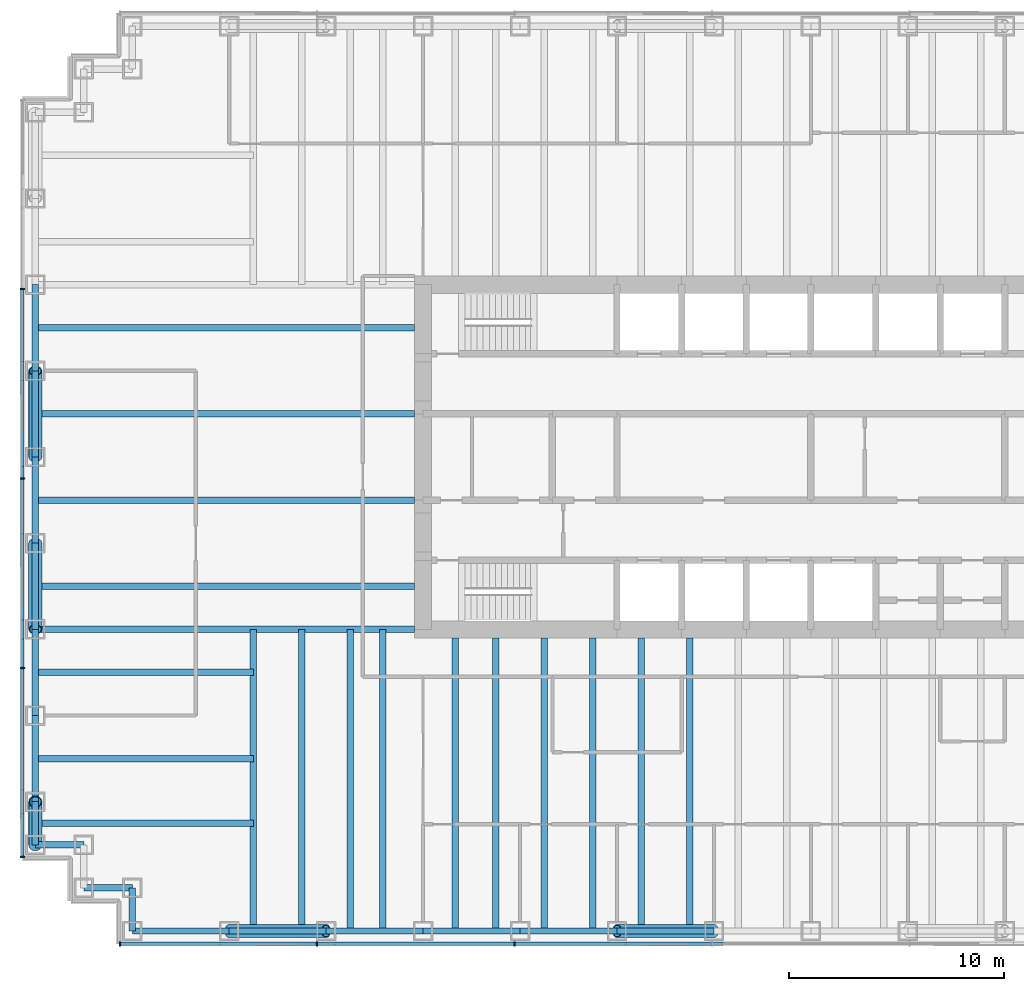
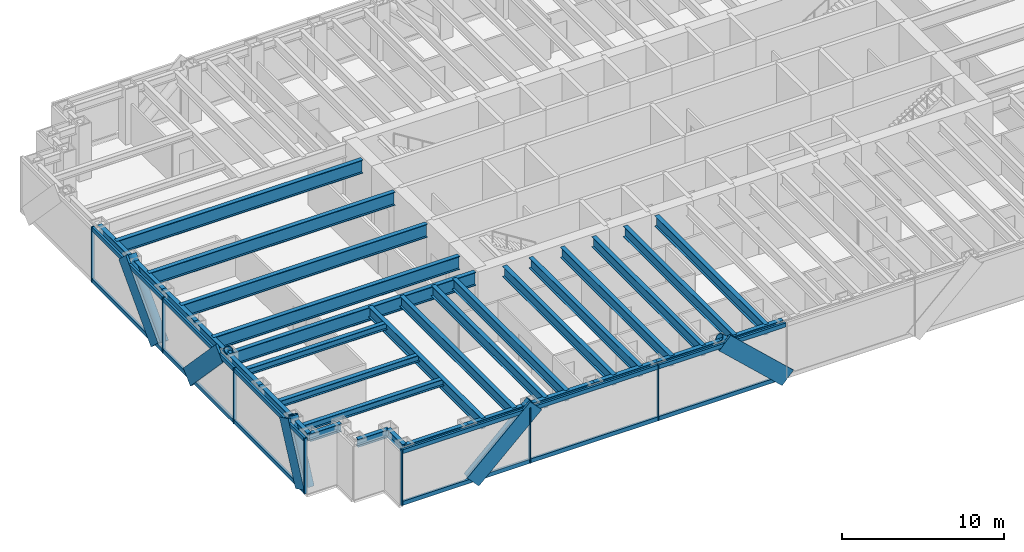
# One storey, part 2 of 16: 34 beams, 29 members, 2 elements without a shape of their own.
"""IFC4 building model written with IfcOpenShell, lengths in metres."""

from ifc_helpers import new_model, si_unit, direction, frame, origin, origin_2d, place, context, subcontext, project, spatial, rectangle, hollow_circle, i_section, extrude, material, material_profile, profile_set, type_object, element, aggregate, save


model = new_model("IFC4")

# Units and contexts
model_context = context("Model", 3, precision=1e-05, world=origin(), true_north=direction((0.0, 1.0)))
body_context = subcontext(model_context, "Body", "Model", "MODEL_VIEW")
ifc_project = project(units=[si_unit("LENGTHUNIT", "METRE"), si_unit("AREAUNIT", "SQUARE_METRE"), si_unit("VOLUMEUNIT", "CUBIC_METRE"), si_unit("PLANEANGLEUNIT", "RADIAN"), si_unit("MASSUNIT", "GRAM", prefix="KILO")], contexts=[model_context])

# Site, building, storey
site_placement = place(None, origin())
site = spatial("IfcSite", under=ifc_project, at=site_placement, CompositionType="ELEMENT")
building_placement = place(site_placement, origin())
building = spatial("IfcBuilding", under=site, at=building_placement, Name="Rheinbord Bourse Tower", CompositionType="ELEMENT")
storey_placement = place(building_placement, frame((0.0, 0.0, 219.39990234375)))
storey = spatial("IfcBuildingStorey", under=building, at=storey_placement, Name="L49", CompositionType="ELEMENT", Elevation=219.39990234375)

# Curtain wall, members
ifc_material_1 = material(Name="Dark glass and black aluminium", Category="aluminium")
curtain_wall_type = type_object("IfcCurtainWallType", Name="CW2 DARK GLASS CURTAIN WALL", PredefinedType="USERDEFINED", material=ifc_material_1)
curtain_wall_1_placement = place(storey_placement, origin())
curtain_wall_1 = element("IfcCurtainWall", 1, at=curtain_wall_1_placement, inside=storey, type_object=curtain_wall_type, Name="Curtain wall CW2 S L49", ObjectType="UNITISED CURTAIN WALL", PredefinedType="USERDEFINED")
ifc_material_2 = material(Name="Black anodised aluminium", Category="aluminium")
ifc_material_profile_1 = material_profile(ifc_material_2, rectangle(XDim=0.159912109375, YDim=1.2099609375, at=origin_2d()), Name="CW2 DIAGONAL MULLION 1210x160")
ifc_profile_set_1 = profile_set([ifc_material_profile_1], Name="Black anodised aluminium")
member_type_1 = type_object("IfcMemberType", Name="CW2 BLACK DIAGONAL MULLION", PredefinedType="USERDEFINED", material=ifc_profile_set_1)
member_1_placement = place(storey_placement, frame((31.5, 1.39990234375, 0.0), z_axis=(-0.731039441158, 0.0, 0.682335207557), x_axis=(0.0, -1.0, 0.0)))
member_1 = element("IfcMember", 2, at=member_1_placement, type_object=member_type_1, Name="CW2 diagonal mullion a", ObjectType="DIAGONAL MULLION", PredefinedType="USERDEFINED", context=body_context, shape_type="SweptSolid", body=[
    extrude(rectangle(XDim=0.159912109375, YDim=1.2099609375, at=origin_2d()), origin(), (0.0, 0.0, 1.0), 6.155517578125),
])
member_2_placement = place(storey_placement, frame((9.0, 1.39990234375, 0.0), z_axis=(0.731039441158, 0.0, 0.682335207557), x_axis=(0.0, 1.0, 0.0)))
member_2 = element("IfcMember", 3, at=member_2_placement, type_object=member_type_1, Name="CW2 diagonal mullion c", ObjectType="DIAGONAL MULLION", PredefinedType="USERDEFINED", context=body_context, shape_type="SweptSolid", body=[
    extrude(rectangle(XDim=0.159912109375, YDim=1.2099609375, at=origin_2d()), origin(), (0.0, 0.0, 1.0), 6.155517578125),
])

curtain_wall_2_placement = place(storey_placement, origin())
curtain_wall_2 = element("IfcCurtainWall", 4, at=curtain_wall_2_placement, inside=storey, type_object=curtain_wall_type, Name="Curtain wall CW2 W L49", ObjectType="UNITISED CURTAIN WALL", PredefinedType="USERDEFINED")
member_3_placement = place(storey_placement, frame((-0.60009765625, 20.0, 0.0), z_axis=(0.0, -0.689638355374, 0.72415394689), x_axis=(1.0, 0.0, 0.0)))
member_3 = element("IfcMember", 5, at=member_3_placement, type_object=member_type_1, Name="CW2 diagonal mullion a", ObjectType="DIAGONAL MULLION", PredefinedType="USERDEFINED", context=body_context, shape_type="SweptSolid", body=[
    extrude(rectangle(XDim=0.159912109375, YDim=1.2099609375, at=origin_2d()), origin(), (0.0, 0.0, 1.0), 5.800048828125),
])
member_4_placement = place(storey_placement, frame((-0.60009765625, 24.0, 0.0), z_axis=(0.0, 0.689638355374, 0.72415394689), x_axis=(-1.0, 0.0, 0.0)))
member_4 = element("IfcMember", 6, at=member_4_placement, type_object=member_type_1, Name="CW2 diagonal mullion b", ObjectType="DIAGONAL MULLION", PredefinedType="USERDEFINED", context=body_context, shape_type="SweptSolid", body=[
    extrude(rectangle(XDim=0.159912109375, YDim=1.2099609375, at=origin_2d()), origin(), (0.0, 0.0, 1.0), 5.800048828125),
])
member_5_placement = place(storey_placement, frame((-0.60009765625, 6.0, 0.0), z_axis=(0.0, 0.429917283348, 0.902868279141), x_axis=(-1.0, 0.0, 0.0)))
member_5 = element("IfcMember", 7, at=member_5_placement, type_object=member_type_1, Name="CW2 diagonal mullion c", ObjectType="DIAGONAL MULLION", PredefinedType="USERDEFINED", context=body_context, shape_type="SweptSolid", body=[
    extrude(rectangle(XDim=0.159912109375, YDim=1.2099609375, at=origin_2d()), origin(), (0.0, 0.0, 1.0), 4.652099609375),
])

# Member
ifc_material_3 = material(Name="Black anodised aluminium", Category="aluminium")
ifc_material_profile_2 = material_profile(ifc_material_3, rectangle(XDim=0.219970703125, YDim=0.070068359375, at=origin_2d()), Name="CW2 MULLION 70x220")
ifc_profile_set_2 = profile_set([ifc_material_profile_2], Name="Black anodised aluminium")
member_type_2 = type_object("IfcMemberType", Name="CW2 BLACK MULLION", PredefinedType="MULLION", material=ifc_profile_set_2)
member_6_placement = place(storey_placement, frame((3.93505859375, 1.39990234375, 0.0), z_axis=(0.0, 0.0, 1.0), x_axis=(0.0, 1.0, 0.0)))
member_6 = element("IfcMember", 8, at=member_6_placement, type_object=member_type_2, Name="CW2 mullion 1", PredefinedType="MULLION", context=body_context, shape_type="SweptSolid", body=[
    extrude(rectangle(XDim=0.219970703125, YDim=0.070068359375, at=origin_2d()), origin(), (0.0, 0.0, 1.0), 4.2001953125),
])

member_7_placement = place(storey_placement, frame((13.071533203125, 1.39990234375, 0.0), z_axis=(0.0, 0.0, 1.0), x_axis=(0.0, 1.0, 0.0)))
member_7 = element("IfcMember", 9, at=member_7_placement, type_object=member_type_2, Name="CW2 mullion 2", PredefinedType="MULLION", context=body_context, shape_type="SweptSolid", body=[
    extrude(rectangle(XDim=0.219970703125, YDim=0.070068359375, at=origin_2d()), origin(), (0.0, 0.0, 1.0), 4.2001953125),
])

member_8_placement = place(storey_placement, frame((22.242919921875, 1.39990234375, 0.0), z_axis=(0.0, 0.0, 1.0), x_axis=(0.0, 1.0, 0.0)))
member_8 = element("IfcMember", 10, at=member_8_placement, type_object=member_type_2, Name="CW2 mullion 3", PredefinedType="MULLION", context=body_context, shape_type="SweptSolid", body=[
    extrude(rectangle(XDim=0.219970703125, YDim=0.070068359375, at=origin_2d()), origin(), (0.0, 0.0, 1.0), 4.2001953125),
])

member_9_placement = place(storey_placement, frame((-0.60009765625, 31.800048828125, 0.0), z_axis=(0.0, 0.0, 1.0), x_axis=(1.0, 0.0, 0.0)))
member_9 = element("IfcMember", 11, at=member_9_placement, type_object=member_type_2, Name="CW2 mullion 2", PredefinedType="MULLION", context=body_context, shape_type="SweptSolid", body=[
    extrude(rectangle(XDim=0.219970703125, YDim=0.070068359375, at=origin_2d()), origin(), (0.0, 0.0, 1.0), 4.2001953125),
])

member_10_placement = place(storey_placement, frame((-0.60009765625, 23.0, 0.0), z_axis=(0.0, 0.0, 1.0), x_axis=(1.0, 0.0, 0.0)))
member_10 = element("IfcMember", 12, at=member_10_placement, type_object=member_type_2, Name="CW2 mullion 3", PredefinedType="MULLION", context=body_context, shape_type="SweptSolid", body=[
    extrude(rectangle(XDim=0.219970703125, YDim=0.070068359375, at=origin_2d()), origin(), (0.0, 0.0, 1.0), 4.2001953125),
])

member_11_placement = place(storey_placement, frame((-0.60009765625, 14.199951171875, 0.0), z_axis=(0.0, 0.0, 1.0), x_axis=(1.0, 0.0, 0.0)))
member_11 = element("IfcMember", 13, at=member_11_placement, type_object=member_type_2, Name="CW2 mullion 4", PredefinedType="MULLION", context=body_context, shape_type="SweptSolid", body=[
    extrude(rectangle(XDim=0.219970703125, YDim=0.070068359375, at=origin_2d()), origin(), (0.0, 0.0, 1.0), 4.2001953125),
])

member_12_placement = place(storey_placement, frame((-0.60009765625, 5.43505859375, 0.0), z_axis=(0.0, 0.0, 1.0), x_axis=(1.0, 0.0, 0.0)))
member_12 = element("IfcMember", 14, at=member_12_placement, type_object=member_type_2, Name="CW2 mullion 5", PredefinedType="MULLION", context=body_context, shape_type="SweptSolid", body=[
    extrude(rectangle(XDim=0.219970703125, YDim=0.070068359375, at=origin_2d()), origin(), (0.0, 0.0, 1.0), 4.2001953125),
])

ifc_material_4 = material(Name="Black anodised aluminium", Category="aluminium")
ifc_material_profile_3 = material_profile(ifc_material_4, rectangle(XDim=0.159912109375, YDim=0.300048828125, at=origin_2d()), Name="CW2 TRANSOM 300x160")
ifc_profile_set_3 = profile_set([ifc_material_profile_3], Name="Black anodised aluminium")
member_type_3 = type_object("IfcMemberType", Name="CW2 BLACK TRANSOM", PredefinedType="USERDEFINED", material=ifc_profile_set_3)
member_13_placement = place(storey_placement, frame((3.969970703125, 1.39990234375, 0.150146484375), z_axis=(1.0, 0.0, 0.0), x_axis=(0.0, 1.0, 0.0)))
member_13 = element("IfcMember", 15, at=member_13_placement, type_object=member_type_3, Name="CW2 transom 1.1", ObjectType="TRANSOM", PredefinedType="USERDEFINED", context=body_context, shape_type="SweptSolid", body=[
    extrude(rectangle(XDim=0.159912109375, YDim=0.300048828125, at=origin_2d()), origin(), (0.0, 0.0, 1.0), 9.06640625),
])

member_14_placement = place(storey_placement, frame((3.969970703125, 1.39990234375, 4.050048828125), z_axis=(1.0, 0.0, 0.0), x_axis=(0.0, 1.0, 0.0)))
member_14 = element("IfcMember", 16, at=member_14_placement, type_object=member_type_3, Name="CW2 transom 1.2", ObjectType="TRANSOM", PredefinedType="USERDEFINED", context=body_context, shape_type="SweptSolid", body=[
    extrude(rectangle(XDim=0.159912109375, YDim=0.300048828125, at=origin_2d()), origin(), (0.0, 0.0, 1.0), 9.06640625),
])

member_15_placement = place(storey_placement, frame((13.1064453125, 1.39990234375, 0.150146484375), z_axis=(1.0, 0.0, 0.0), x_axis=(0.0, 1.0, 0.0)))
member_15 = element("IfcMember", 17, at=member_15_placement, type_object=member_type_3, Name="CW2 transom 2.1", ObjectType="TRANSOM", PredefinedType="USERDEFINED", context=body_context, shape_type="SweptSolid", body=[
    extrude(rectangle(XDim=0.159912109375, YDim=0.300048828125, at=origin_2d()), origin(), (0.0, 0.0, 1.0), 9.101318359375),
])

member_16_placement = place(storey_placement, frame((13.1064453125, 1.39990234375, 4.050048828125), z_axis=(1.0, 0.0, 0.0), x_axis=(0.0, 1.0, 0.0)))
member_16 = element("IfcMember", 18, at=member_16_placement, type_object=member_type_3, Name="CW2 transom 2.2", ObjectType="TRANSOM", PredefinedType="USERDEFINED", context=body_context, shape_type="SweptSolid", body=[
    extrude(rectangle(XDim=0.159912109375, YDim=0.300048828125, at=origin_2d()), origin(), (0.0, 0.0, 1.0), 9.101318359375),
])

member_17_placement = place(storey_placement, frame((22.27783203125, 1.39990234375, 0.150146484375), z_axis=(1.0, 0.0, 0.0), x_axis=(0.0, 1.0, 0.0)))
member_17 = element("IfcMember", 19, at=member_17_placement, type_object=member_type_3, Name="CW2 transom 3.1", ObjectType="TRANSOM", PredefinedType="USERDEFINED", context=body_context, shape_type="SweptSolid", body=[
    extrude(rectangle(XDim=0.159912109375, YDim=0.300048828125, at=origin_2d()), origin(), (0.0, 0.0, 1.0), 9.1015625),
])

member_18_placement = place(storey_placement, frame((22.27783203125, 1.39990234375, 4.050048828125), z_axis=(1.0, 0.0, 0.0), x_axis=(0.0, 1.0, 0.0)))
member_18 = element("IfcMember", 20, at=member_18_placement, type_object=member_type_3, Name="CW2 transom 3.2", ObjectType="TRANSOM", PredefinedType="USERDEFINED", context=body_context, shape_type="SweptSolid", body=[
    extrude(rectangle(XDim=0.159912109375, YDim=0.300048828125, at=origin_2d()), origin(), (0.0, 0.0, 1.0), 9.1015625),
])

aggregate(curtain_wall_1, [member_6, member_7, member_8, member_13, member_14, member_15, member_16, member_17, member_18, member_1, member_2])

member_19_placement = place(storey_placement, frame((-0.60009765625, 31.764892578125, 0.150146484375), z_axis=(0.0, -1.0, 0.0), x_axis=(1.0, 0.0, 0.0)))
member_19 = element("IfcMember", 21, at=member_19_placement, type_object=member_type_3, Name="CW2 transom 2.1", ObjectType="TRANSOM", PredefinedType="USERDEFINED", context=body_context, shape_type="SweptSolid", body=[
    extrude(rectangle(XDim=0.159912109375, YDim=0.300048828125, at=origin_2d()), origin(), (0.0, 0.0, 1.0), 8.72998046875),
])

member_20_placement = place(storey_placement, frame((-0.60009765625, 31.764892578125, 4.050048828125), z_axis=(0.0, -1.0, 0.0), x_axis=(1.0, 0.0, 0.0)))
member_20 = element("IfcMember", 22, at=member_20_placement, type_object=member_type_3, Name="CW2 transom 2.2", ObjectType="TRANSOM", PredefinedType="USERDEFINED", context=body_context, shape_type="SweptSolid", body=[
    extrude(rectangle(XDim=0.159912109375, YDim=0.300048828125, at=origin_2d()), origin(), (0.0, 0.0, 1.0), 8.72998046875),
])

member_21_placement = place(storey_placement, frame((-0.60009765625, 22.965087890625, 0.150146484375), z_axis=(0.0, -1.0, 0.0), x_axis=(1.0, 0.0, 0.0)))
member_21 = element("IfcMember", 23, at=member_21_placement, type_object=member_type_3, Name="CW2 transom 3.1", ObjectType="TRANSOM", PredefinedType="USERDEFINED", context=body_context, shape_type="SweptSolid", body=[
    extrude(rectangle(XDim=0.159912109375, YDim=0.300048828125, at=origin_2d()), origin(), (0.0, 0.0, 1.0), 8.72998046875),
])

member_22_placement = place(storey_placement, frame((-0.60009765625, 22.965087890625, 4.050048828125), z_axis=(0.0, -1.0, 0.0), x_axis=(1.0, 0.0, 0.0)))
member_22 = element("IfcMember", 24, at=member_22_placement, type_object=member_type_3, Name="CW2 transom 3.2", ObjectType="TRANSOM", PredefinedType="USERDEFINED", context=body_context, shape_type="SweptSolid", body=[
    extrude(rectangle(XDim=0.159912109375, YDim=0.300048828125, at=origin_2d()), origin(), (0.0, 0.0, 1.0), 8.72998046875),
])

member_23_placement = place(storey_placement, frame((-0.60009765625, 14.1650390625, 0.150146484375), z_axis=(0.0, -1.0, 0.0), x_axis=(1.0, 0.0, 0.0)))
member_23 = element("IfcMember", 25, at=member_23_placement, type_object=member_type_3, Name="CW2 transom 4.1", ObjectType="TRANSOM", PredefinedType="USERDEFINED", context=body_context, shape_type="SweptSolid", body=[
    extrude(rectangle(XDim=0.159912109375, YDim=0.300048828125, at=origin_2d()), origin(), (0.0, 0.0, 1.0), 8.695068359375),
])

member_24_placement = place(storey_placement, frame((-0.60009765625, 14.1650390625, 4.050048828125), z_axis=(0.0, -1.0, 0.0), x_axis=(1.0, 0.0, 0.0)))
member_24 = element("IfcMember", 26, at=member_24_placement, type_object=member_type_3, Name="CW2 transom 4.2", ObjectType="TRANSOM", PredefinedType="USERDEFINED", context=body_context, shape_type="SweptSolid", body=[
    extrude(rectangle(XDim=0.159912109375, YDim=0.300048828125, at=origin_2d()), origin(), (0.0, 0.0, 1.0), 8.695068359375),
])

aggregate(curtain_wall_2, [member_9, member_10, member_11, member_12, member_19, member_20, member_21, member_22, member_23, member_24, member_3, member_4, member_5])

# Beams
ifc_material_5 = material(Name="Steel S460", Category="steel")
ifc_material_profile_4 = material_profile(ifc_material_5, i_section(OverallWidth=0.302001953125, OverallDepth=1.008056640625, WebThickness=0.02099609375, FlangeThickness=0.0400390625, at=origin_2d()), Name="HEM 1000")
ifc_profile_set_4 = profile_set([ifc_material_profile_4], Name="Steel S460")
beam_type_1 = type_object("IfcBeamType", Name="END BEAM HEM 1000", PredefinedType="BEAM", material=ifc_profile_set_4)
for number, where, z_axis, x_axis, name in (
    (27, (0.0, 18.0, 3.5361328125), (1.0, 0.0, 0.0), (0.0, 1.0, 0.0), "End beam west 18 L50"),
    (28, (0.0, 22.0, 3.5361328125), (1.0, 0.0, 0.0), (0.0, 1.0, 0.0), "End beam west 22 L50"),
    (29, (0.0, 26.0, 3.5361328125), (1.0, 0.0, 0.0), (0.0, 1.0, 0.0), "End beam west 26 L50"),
    (30, (0.0, 30.0, 3.5361328125), (1.0, 0.0, 0.0), (0.0, 1.0, 0.0), "End beam west 30 L50"),
):
    element("IfcBeam", number, at=place(storey_placement, frame(where, z_axis=z_axis, x_axis=x_axis)), inside=storey, type_object=beam_type_1, Name=name, PredefinedType="BEAM", context=body_context, shape_type="SweptSolid", body=[
        extrude(i_section(OverallWidth=0.302001953125, OverallDepth=1.008056640625, WebThickness=0.02099609375, FlangeThickness=0.0400390625, at=origin_2d()), origin(), (0.0, 0.0, 1.0), 17.60009765625),
    ])
ifc_material_6 = material(Name="Steel S460", Category="steel")
ifc_material_profile_5 = material_profile(ifc_material_6, i_section(OverallWidth=0.300048828125, OverallDepth=0.800048828125, WebThickness=0.017578125, FlangeThickness=0.032958984375, at=origin_2d()), Name="HEB 800")
ifc_profile_set_5 = profile_set([ifc_material_profile_5], Name="Steel S460")
beam_type_2 = type_object("IfcBeamType", Name="FLOOR BEAM HEB 800", PredefinedType="BEAM", material=ifc_profile_set_5)
for number, where, z_axis, x_axis, name in (
    (31, (10.125, 2.0, 3.64013671875), (0.0, 1.0, 0.0), (-1.0, 0.0, 0.0), "Floor beam S-9a L50"),
    (32, (12.375, 2.0, 3.64013671875), (0.0, 1.0, 0.0), (-1.0, 0.0, 0.0), "Floor beam S-9b L50"),
    (33, (14.625, 2.0, 3.64013671875), (0.0, 1.0, 0.0), (-1.0, 0.0, 0.0), "Floor beam S-13.5a L50"),
    (34, (16.125, 2.0, 3.64013671875), (0.0, 1.0, 0.0), (-1.0, 0.0, 0.0), "Floor beam S-13.5b L50"),
):
    element("IfcBeam", number, at=place(storey_placement, frame(where, z_axis=z_axis, x_axis=x_axis)), inside=storey, type_object=beam_type_2, Name=name, PredefinedType="BEAM", context=body_context, shape_type="SweptSolid", body=[
        extrude(i_section(OverallWidth=0.300048828125, OverallDepth=0.800048828125, WebThickness=0.017578125, FlangeThickness=0.032958984375, at=origin_2d()), origin(), (0.0, 0.0, 1.0), 14.0),
    ])
for number, where, z_axis, x_axis, name in (
    (35, (19.5, 2.0, 3.64013671875), (0.0, 1.0, 0.0), (-1.0, 0.0, 0.0), "Floor beam S-18a L50"),
    (36, (21.375, 2.0, 3.64013671875), (0.0, 1.0, 0.0), (-1.0, 0.0, 0.0), "Floor beam S-18b L50"),
    (37, (23.625, 2.0, 3.64013671875), (0.0, 1.0, 0.0), (-1.0, 0.0, 0.0), "Floor beam S-22.5a L50"),
    (38, (25.875, 2.0, 3.64013671875), (0.0, 1.0, 0.0), (-1.0, 0.0, 0.0), "Floor beam S-22.5b L50"),
    (39, (28.125, 2.0, 3.64013671875), (0.0, 1.0, 0.0), (-1.0, 0.0, 0.0), "Floor beam S-27a L50"),
    (40, (30.375, 2.0, 3.64013671875), (0.0, 1.0, 0.0), (-1.0, 0.0, 0.0), "Floor beam S-27b L50"),
):
    element("IfcBeam", number, at=place(storey_placement, frame(where, z_axis=z_axis, x_axis=x_axis)), inside=storey, type_object=beam_type_2, Name=name, PredefinedType="BEAM", context=body_context, shape_type="SweptSolid", body=[
        extrude(i_section(OverallWidth=0.300048828125, OverallDepth=0.800048828125, WebThickness=0.017578125, FlangeThickness=0.032958984375, at=origin_2d()), origin(), (0.0, 0.0, 1.0), 13.60009765625),
    ])
ifc_material_7 = material(Name="Steel S460", Category="steel")
ifc_material_profile_6 = material_profile(ifc_material_7, i_section(OverallWidth=0.302001953125, OverallDepth=1.008056640625, WebThickness=0.02099609375, FlangeThickness=0.0400390625, at=origin_2d()), Name="HEM 1000")
ifc_profile_set_6 = profile_set([ifc_material_profile_6], Name="Steel S460")
beam_type_3 = type_object("IfcBeamType", Name="GIRDER HEM 1000", PredefinedType="BEAM", material=ifc_profile_set_6)
beam_1_placement = place(storey_placement, frame((0.0, 16.0, 3.5361328125), z_axis=(1.0, 0.0, 0.0), x_axis=(0.0, 1.0, 0.0)))
element("IfcBeam", 41, at=beam_1_placement, inside=storey, type_object=beam_type_3, Name="Girder west 16 L50", PredefinedType="BEAM", context=body_context, shape_type="SweptSolid", body=[
    extrude(i_section(OverallWidth=0.302001953125, OverallDepth=1.008056640625, WebThickness=0.02099609375, FlangeThickness=0.0400390625, at=origin_2d()), origin(), (0.0, 0.0, 1.0), 17.60009765625),
])

# Members
ifc_material_8 = material(Name="Steel S460", Category="steel")
ifc_material_profile_7 = material_profile(ifc_material_8, hollow_circle(Radius=0.304931640625, WallThickness=0.0400390625, at=origin_2d()), Name="CHS 610x40")
ifc_profile_set_7 = profile_set([ifc_material_profile_7], Name="Steel S460")
member_type_4 = type_object("IfcMemberType", Name="MEGABRACE CHS 610x40", PredefinedType="BRACE", material=ifc_profile_set_7)
for number, where, z_axis, x_axis, name in (
    (42, (31.5, 2.0, 0.0), (-0.731039441158, 0.0, 0.682335207557), (0.0, -1.0, 0.0), "Megabrace S face line a L49"),
    (43, (9.0, 2.0, 0.0), (0.731039441158, 0.0, 0.682335207557), (0.0, 1.0, 0.0), "Megabrace S face line c L49"),
):
    element("IfcMember", number, at=place(storey_placement, frame(where, z_axis=z_axis, x_axis=x_axis)), inside=storey, type_object=member_type_4, Name=name, PredefinedType="BRACE", context=body_context, shape_type="SweptSolid", body=[
        extrude(hollow_circle(Radius=0.304931640625, WallThickness=0.0400390625, at=origin_2d()), origin(), (0.0, 0.0, 1.0), 6.155517578125),
    ])
for number, where, z_axis, x_axis, name in (
    (44, (0.0, 20.0, 0.0), (0.0, -0.689638355374, 0.72415394689), (1.0, 0.0, 0.0), "Megabrace W face line a L49"),
    (45, (0.0, 24.0, 0.0), (0.0, 0.689638355374, 0.72415394689), (-1.0, 0.0, 0.0), "Megabrace W face line b L49"),
):
    element("IfcMember", number, at=place(storey_placement, frame(where, z_axis=z_axis, x_axis=x_axis)), inside=storey, type_object=member_type_4, Name=name, PredefinedType="BRACE", context=body_context, shape_type="SweptSolid", body=[
        extrude(hollow_circle(Radius=0.304931640625, WallThickness=0.0400390625, at=origin_2d()), origin(), (0.0, 0.0, 1.0), 5.800048828125),
    ])
member_25_placement = place(storey_placement, frame((0.0, 6.0, 0.0), z_axis=(0.0, 0.429917283348, 0.902868279141), x_axis=(-1.0, 0.0, 0.0)))
element("IfcMember", 46, at=member_25_placement, inside=storey, type_object=member_type_4, Name="Megabrace W face line c L49", PredefinedType="BRACE", context=body_context, shape_type="SweptSolid", body=[
    extrude(hollow_circle(Radius=0.304931640625, WallThickness=0.0400390625, at=origin_2d()), origin(), (0.0, 0.0, 1.0), 4.652099609375),
])

# Beams
ifc_material_9 = material(Name="Steel S460", Category="steel")
ifc_material_profile_8 = material_profile(ifc_material_9, i_section(OverallWidth=0.300048828125, OverallDepth=0.60009765625, WebThickness=0.015380859375, FlangeThickness=0.030029296875, at=origin_2d()), Name="HEB 600")
ifc_profile_set_8 = profile_set([ifc_material_profile_8], Name="Steel S460")
beam_type_4 = type_object("IfcBeamType", Name="SPANDREL HEB 600", PredefinedType="SPANDREL", material=ifc_profile_set_8)
for number, where, z_axis, x_axis, name in (
    (47, (4.5, 2.0, 3.739990234375), (1.0, 0.0, 0.0), (0.0, 1.0, 0.0), "Spandrel SW-E-S-9 under L50"),
    (48, (9.0, 2.0, 3.739990234375), (1.0, 0.0, 0.0), (0.0, 1.0, 0.0), "Spandrel S-9-S-13.5 under L50"),
    (49, (13.5, 2.0, 3.739990234375), (1.0, 0.0, 0.0), (0.0, 1.0, 0.0), "Spandrel S-13.5-S-18 under L50"),
    (50, (18.0, 2.0, 3.739990234375), (1.0, 0.0, 0.0), (0.0, 1.0, 0.0), "Spandrel S-18-S-22.5 under L50"),
    (51, (22.5, 2.0, 3.739990234375), (1.0, 0.0, 0.0), (0.0, 1.0, 0.0), "Spandrel S-22.5-S-27 under L50"),
    (52, (27.0, 2.0, 3.739990234375), (1.0, 0.0, 0.0), (0.0, 1.0, 0.0), "Spandrel S-27-S-31.5 under L50"),
):
    element("IfcBeam", number, at=place(storey_placement, frame(where, z_axis=z_axis, x_axis=x_axis)), inside=storey, type_object=beam_type_4, Name=name, PredefinedType="SPANDREL", context=body_context, shape_type="SweptSolid", body=[
        extrude(i_section(OverallWidth=0.300048828125, OverallDepth=0.60009765625, WebThickness=0.015380859375, FlangeThickness=0.030029296875, at=origin_2d()), origin(), (0.0, 0.0, 1.0), 4.5),
    ])
for number, where, z_axis, x_axis, name in (
    (53, (0.0, 32.0, 3.739990234375), (0.0, -1.0, 0.0), (1.0, 0.0, 0.0), "Spandrel W-32-W-28 under L50"),
    (54, (0.0, 28.0, 3.739990234375), (0.0, -1.0, 0.0), (1.0, 0.0, 0.0), "Spandrel W-28-W-24 under L50"),
    (55, (0.0, 24.0, 3.739990234375), (0.0, -1.0, 0.0), (1.0, 0.0, 0.0), "Spandrel W-24-W-20 under L50"),
    (56, (0.0, 20.0, 3.739990234375), (0.0, -1.0, 0.0), (1.0, 0.0, 0.0), "Spandrel W-20-W-16 under L50"),
    (57, (0.0, 16.0, 3.739990234375), (0.0, -1.0, 0.0), (1.0, 0.0, 0.0), "Spandrel W-16-W-12 under L50"),
    (58, (0.0, 12.0, 3.739990234375), (0.0, -1.0, 0.0), (1.0, 0.0, 0.0), "Spandrel W-12-W-8 under L50"),
):
    element("IfcBeam", number, at=place(storey_placement, frame(where, z_axis=z_axis, x_axis=x_axis)), inside=storey, type_object=beam_type_4, Name=name, PredefinedType="SPANDREL", context=body_context, shape_type="SweptSolid", body=[
        extrude(i_section(OverallWidth=0.300048828125, OverallDepth=0.60009765625, WebThickness=0.015380859375, FlangeThickness=0.030029296875, at=origin_2d()), origin(), (0.0, 0.0, 1.0), 4.0),
    ])
beam_2_placement = place(storey_placement, frame((0.0, 8.0, 3.739990234375), z_axis=(0.0, -1.0, 0.0), x_axis=(1.0, 0.0, 0.0)))
element("IfcBeam", 59, at=beam_2_placement, inside=storey, type_object=beam_type_4, Name="Spandrel W-8-SW-A under L50", PredefinedType="SPANDREL", context=body_context, shape_type="SweptSolid", body=[
    extrude(i_section(OverallWidth=0.300048828125, OverallDepth=0.60009765625, WebThickness=0.015380859375, FlangeThickness=0.030029296875, at=origin_2d()), origin(), (0.0, 0.0, 1.0), 2.0),
])
for number, where, z_axis, x_axis, name in (
    (60, (0.0, 6.0, 3.739990234375), (1.0, 0.0, 0.0), (0.0, 1.0, 0.0), "Spandrel SW-A-SW-B under L50"),
    (61, (2.25, 4.0, 3.739990234375), (1.0, 0.0, 0.0), (0.0, 1.0, 0.0), "Spandrel SW-C-SW-D under L50"),
):
    element("IfcBeam", number, at=place(storey_placement, frame(where, z_axis=z_axis, x_axis=x_axis)), inside=storey, type_object=beam_type_4, Name=name, PredefinedType="SPANDREL", context=body_context, shape_type="SweptSolid", body=[
        extrude(i_section(OverallWidth=0.300048828125, OverallDepth=0.60009765625, WebThickness=0.015380859375, FlangeThickness=0.030029296875, at=origin_2d()), origin(), (0.0, 0.0, 1.0), 2.25),
    ])
beam_3_placement = place(storey_placement, frame((4.5, 4.0, 3.739990234375), z_axis=(0.0, -1.0, 0.0), x_axis=(1.0, 0.0, 0.0)))
element("IfcBeam", 62, at=beam_3_placement, inside=storey, type_object=beam_type_4, Name="Spandrel SW-D-SW-E under L50", PredefinedType="SPANDREL", context=body_context, shape_type="SweptSolid", body=[
    extrude(i_section(OverallWidth=0.300048828125, OverallDepth=0.60009765625, WebThickness=0.015380859375, FlangeThickness=0.030029296875, at=origin_2d()), origin(), (0.0, 0.0, 1.0), 2.0),
])
ifc_material_10 = material(Name="Steel S460", Category="steel")
ifc_material_profile_9 = material_profile(ifc_material_10, i_section(OverallWidth=0.300048828125, OverallDepth=0.5, WebThickness=0.014404296875, FlangeThickness=0.028076171875, at=origin_2d()), Name="HEB 500")
ifc_profile_set_9 = profile_set([ifc_material_profile_9], Name="Steel S460")
beam_type_5 = type_object("IfcBeamType", Name="TIE BEAM HEB 500", PredefinedType="JOIST", material=ifc_profile_set_9)
for number, where, z_axis, x_axis, name in (
    (63, (0.0, 7.0, 3.7900390625), (1.0, 0.0, 0.0), (0.0, 1.0, 0.0), "Tie west 7 L50"),
    (64, (0.0, 10.0, 3.7900390625), (1.0, 0.0, 0.0), (0.0, 1.0, 0.0), "Tie west 10 L50"),
    (65, (0.0, 14.0, 3.7900390625), (1.0, 0.0, 0.0), (0.0, 1.0, 0.0), "Tie west 14 L50"),
):
    element("IfcBeam", number, at=place(storey_placement, frame(where, z_axis=z_axis, x_axis=x_axis)), inside=storey, type_object=beam_type_5, Name=name, PredefinedType="JOIST", context=body_context, shape_type="SweptSolid", body=[
        extrude(i_section(OverallWidth=0.300048828125, OverallDepth=0.5, WebThickness=0.014404296875, FlangeThickness=0.028076171875, at=origin_2d()), origin(), (0.0, 0.0, 1.0), 10.125),
    ])

save(model, "model.ifc")
